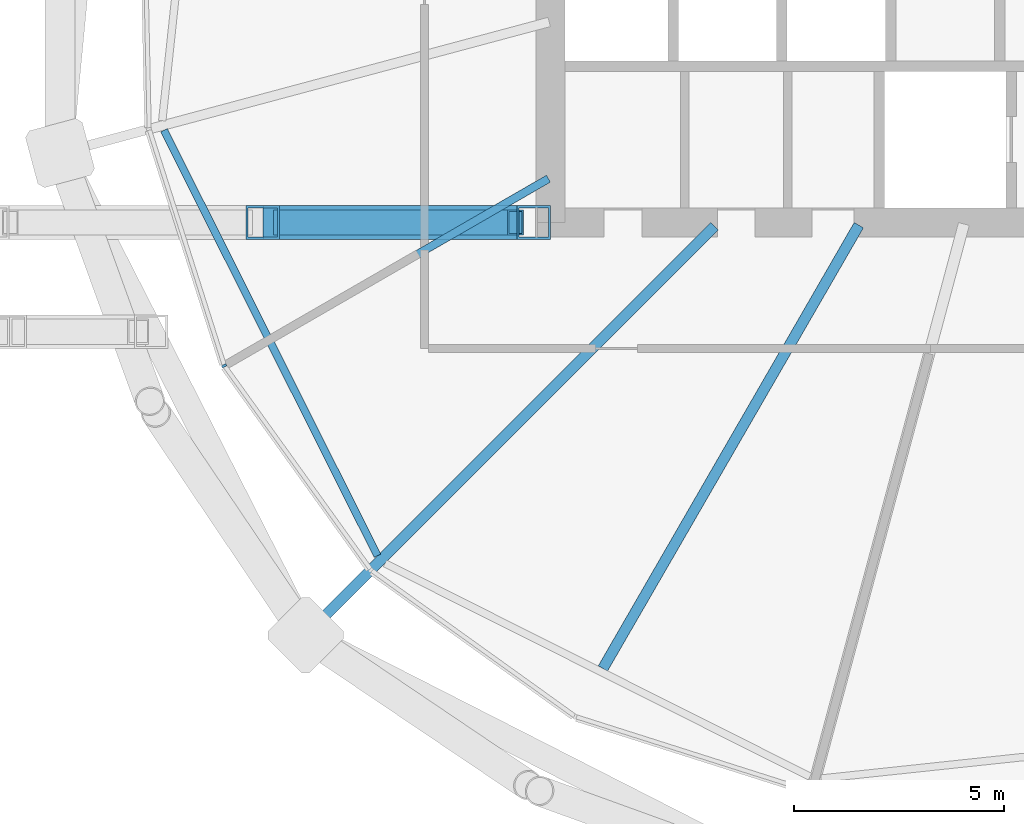
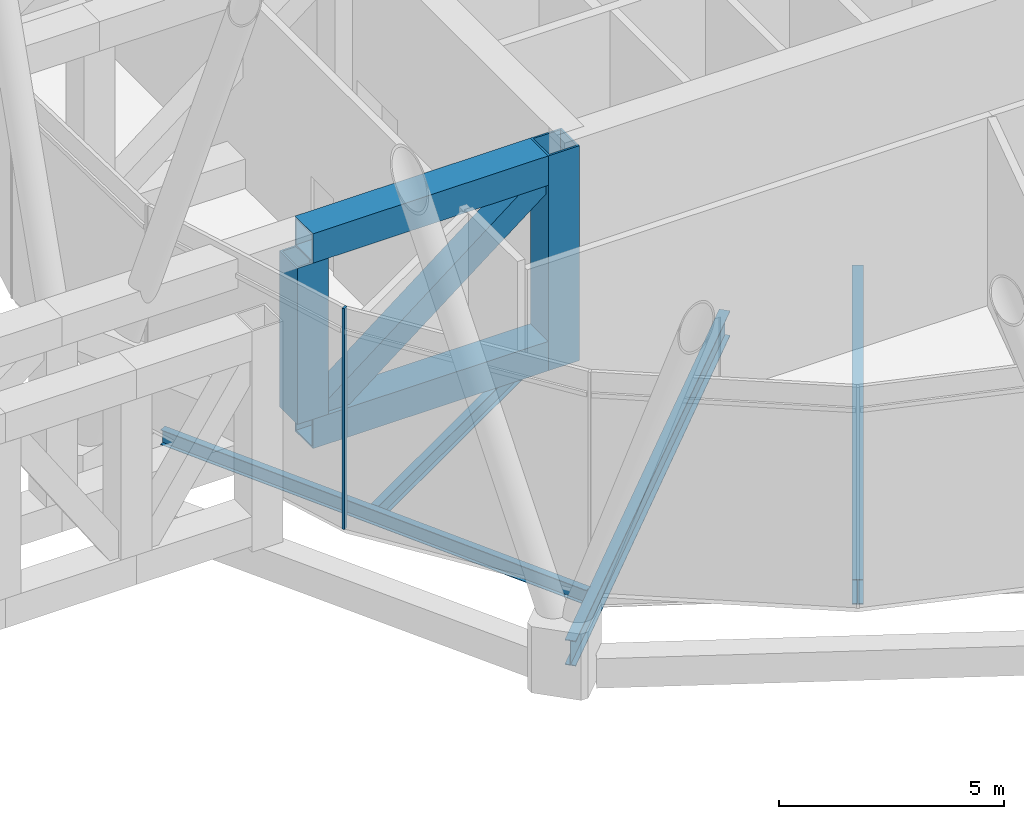
# One storey, part 19 of 39: 6 members, 4 beams, 1 element without a shape of its own.
"""IFC4 building model written with IfcOpenShell, lengths in metres."""

from ifc_helpers import new_model, si_unit, direction, frame, origin, origin_2d, place, context, subcontext, project, spatial, rectangle, hollow_rectangle, i_section, extrude, material, material_profile, profile_set, type_object, element, aggregate, save


model = new_model("IFC4")

# Units and contexts
model_context = context("Model", 3, precision=1e-05, world=origin(), true_north=direction((0.0, 1.0)))
body_context = subcontext(model_context, "Body", "Model", "MODEL_VIEW")
ifc_project = project(units=[si_unit("LENGTHUNIT", "METRE"), si_unit("AREAUNIT", "SQUARE_METRE"), si_unit("VOLUMEUNIT", "CUBIC_METRE"), si_unit("PLANEANGLEUNIT", "RADIAN"), si_unit("MASSUNIT", "GRAM", prefix="KILO")], contexts=[model_context])

# Site, building, storey
site_placement = place(None, origin())
site = spatial("IfcSite", under=ifc_project, at=site_placement, CompositionType="ELEMENT")
building_placement = place(site_placement, origin())
building = spatial("IfcBuilding", under=site, at=building_placement, Name="Rimbun Link Towers", CompositionType="ELEMENT")
storey_placement = place(building_placement, frame((0.0, 0.0, 127.199951171875)))
storey = spatial("IfcBuildingStorey", under=building, at=storey_placement, Name="L31", CompositionType="ELEMENT", Elevation=127.199951171875)

# Curtain wall, member
ifc_material_1 = material(Name="Aluminium 6063-T6 louvre wall", Category="aluminium")
curtain_wall_type = type_object("IfcCurtainWallType", Name="CW6 plant floor louvre wall", PredefinedType="NOTDEFINED", material=ifc_material_1)
curtain_wall_placement = place(storey_placement, origin())
curtain_wall = element("IfcCurtainWall", 1, at=curtain_wall_placement, inside=storey, type_object=curtain_wall_type, Name="CW6 L31 T2", PredefinedType="NOTDEFINED")
ifc_material_2 = material(Name="Aluminium 6063-T6", Category="aluminium")
ifc_material_profile_1 = material_profile(ifc_material_2, rectangle(XDim=0.1201171875, YDim=0.06005859375, at=origin_2d()), Name="MULLION 60X120")
ifc_profile_set_1 = profile_set([ifc_material_profile_1], Name="Aluminium 6063-T6")
member_type_1 = type_object("IfcMemberType", Name="CW6 mullion 60X120", PredefinedType="MULLION", material=ifc_profile_set_1)
member_1_placement = place(storey_placement, frame((11.975341796875, -11.412841796875, 0.0), z_axis=(0.0, 0.0, 1.0), x_axis=(-0.893745383402, -0.448574619933, 0.0)))
member_1 = element("IfcMember", 2, at=member_1_placement, type_object=member_type_1, Name="CW6 mullion", PredefinedType="MULLION", context=body_context, shape_type="SweptSolid", body=[
    extrude(rectangle(XDim=0.1201171875, YDim=0.06005859375, at=origin_2d()), origin(), (0.0, 0.0, 1.0), 6.0),
])
aggregate(curtain_wall, [member_1])

# Members
ifc_material_3 = material(Name="Steel S460N", Category="steel")
ifc_material_profile_2 = material_profile(ifc_material_3, hollow_rectangle(XDim=0.800048828125, YDim=0.800048828125, WallThickness=0.050048828125, at=origin_2d()), Name="Link transfer truss chord BOX 800x800x50")
ifc_profile_set_2 = profile_set([ifc_material_profile_2], Name="Steel S460N")
member_type_2 = type_object("IfcMemberType", Name="Link transfer truss chord BOX 800x800x50", PredefinedType="CHORD", material=ifc_profile_set_2)
for number, where, z_axis, x_axis, name in (
    (3, (12.89990234375, -8.0, 0.400146484375), (1.0, 0.0, 0.0), (0.0, 1.0, 0.0), "Link transfer truss chord 1 bottom 05"),
    (4, (12.89990234375, -8.0, 5.43994140625), (1.0, 0.0, 0.0), (0.0, 1.0, 0.0), "Link transfer truss chord 1 top 05"),
):
    element("IfcMember", number, at=place(storey_placement, frame(where, z_axis=z_axis, x_axis=x_axis)), inside=storey, type_object=member_type_2, Name=name, PredefinedType="CHORD", context=body_context, shape_type="SweptSolid", body=[
        extrude(hollow_rectangle(XDim=0.800048828125, YDim=0.800048828125, WallThickness=0.050048828125, at=origin_2d()), origin(), (0.0, 0.0, 1.0), 6.050048828125),
    ])
ifc_material_4 = material(Name="Steel S460N", Category="steel")
ifc_material_profile_3 = material_profile(ifc_material_4, hollow_rectangle(XDim=0.60009765625, YDim=0.60009765625, WallThickness=0.0400390625, at=origin_2d()), Name="Link transfer truss diagonal BOX 600x600x40")
ifc_profile_set_3 = profile_set([ifc_material_profile_3], Name="Steel S460N")
member_type_3 = type_object("IfcMemberType", Name="Link transfer truss diagonal BOX 600x600x40", PredefinedType="BRACE", material=ifc_profile_set_3)
member_2_placement = place(storey_placement, frame((13.33349609375, -8.0, 0.73876953125), z_axis=(0.787951234296, 0.0, 0.61573764898), x_axis=(0.0, 1.0, 0.0)))
element("IfcMember", 5, at=member_2_placement, inside=storey, type_object=member_type_3, Name="Link transfer truss diagonal 1 05", PredefinedType="BRACE", context=body_context, shape_type="SweptSolid", body=[
    extrude(hollow_rectangle(XDim=0.60009765625, YDim=0.60009765625, WallThickness=0.0400390625, at=origin_2d()), origin(), (0.0, 0.0, 1.0), 7.08544921875),
])
ifc_material_5 = material(Name="Steel S460N", Category="steel")
ifc_material_profile_4 = material_profile(ifc_material_5, hollow_rectangle(XDim=0.800048828125, YDim=0.800048828125, WallThickness=0.050048828125, at=origin_2d()), Name="Link transfer truss post BOX 800x800x50")
ifc_profile_set_4 = profile_set([ifc_material_profile_4], Name="Steel S460N")
member_type_4 = type_object("IfcMemberType", Name="Link transfer truss post BOX 800x800x50", PredefinedType="POST", material=ifc_profile_set_4)
member_3_placement = place(storey_placement, frame((12.89990234375, -8.0, 0.800048828125), z_axis=(0.0, 0.0, 1.0), x_axis=(1.0, 0.0, 0.0)))
element("IfcMember", 6, at=member_3_placement, inside=storey, type_object=member_type_4, Name="Link transfer truss post 1-05", PredefinedType="POST", context=body_context, shape_type="SweptSolid", body=[
    extrude(hollow_rectangle(XDim=0.800048828125, YDim=0.800048828125, WallThickness=0.050048828125, at=origin_2d()), origin(), (0.0, 0.0, 1.0), 4.239990234375),
])
member_4_placement = place(storey_placement, frame((19.35009765625, -8.0, 0.0), z_axis=(0.0, 0.0, 1.0), x_axis=(1.0, 0.0, 0.0)))
element("IfcMember", 7, at=member_4_placement, inside=storey, type_object=member_type_4, Name="Link transfer truss post 1-06", PredefinedType="POST", context=body_context, shape_type="SweptSolid", body=[
    extrude(hollow_rectangle(XDim=0.800048828125, YDim=0.800048828125, WallThickness=0.050048828125, at=origin_2d()), origin(), (0.0, 0.0, 1.0), 5.840087890625),
])

# Beams
ifc_material_6 = material(Name="Steel S355J2", Category="steel")
ifc_material_profile_5 = material_profile(ifc_material_6, i_section(OverallWidth=0.177978515625, OverallDepth=0.406494140625, WebThickness=0.0078125, FlangeThickness=0.0126953125, at=origin_2d()), Name="UB 406x178x60")
ifc_profile_set_5 = profile_set([ifc_material_profile_5], Name="Steel S355J2")
beam_type_1 = type_object("IfcBeamType", Name="UB 406x178x60", PredefinedType="BEAM", material=ifc_profile_set_5)
beam_1_placement = place(storey_placement, frame((10.5419921875, -5.801513671875, -0.383056640625), z_axis=(0.448556176974, -0.893754639763, 0.0), x_axis=(0.893754639763, 0.448556176974, 0.0)))
element("IfcBeam", 8, at=beam_1_placement, inside=storey, type_object=beam_type_1, Name="Edge beam T2 L31 10-12", PredefinedType="BEAM", context=body_context, shape_type="SweptSolid", body=[
    extrude(i_section(OverallWidth=0.177978515625, OverallDepth=0.406494140625, WebThickness=0.0078125, FlangeThickness=0.0126953125, at=origin_2d()), origin(), (0.0, 0.0, 1.0), 11.3427734375),
])
ifc_material_7 = material(Name="Steel S355J2", Category="steel")
ifc_material_profile_6 = material_profile(ifc_material_7, i_section(OverallWidth=0.18994140625, OverallDepth=0.453369140625, WebThickness=0.008544921875, FlangeThickness=0.0126953125, at=origin_2d()), Name="UB 457x191x67")
ifc_profile_set_6 = profile_set([ifc_material_profile_6], Name="Steel S355J2")
beam_type_2 = type_object("IfcBeamType", Name="UB 457x191x67", PredefinedType="BEAM", material=ifc_profile_set_6)
beam_2_placement = place(storey_placement, frame((19.70166015625, -6.9560546875, -0.40673828125), z_axis=(-0.866017959162, -0.500012894242, 0.0), x_axis=(0.500012894242, -0.866017959162, 0.0)))
element("IfcBeam", 9, at=beam_2_placement, inside=storey, type_object=beam_type_2, Name="Radial beam T2 L31 11", PredefinedType="BEAM", context=body_context, shape_type="SweptSolid", body=[
    extrude(i_section(OverallWidth=0.18994140625, OverallDepth=0.453369140625, WebThickness=0.008544921875, FlangeThickness=0.0126953125, at=origin_2d()), origin(), (0.0, 0.0, 1.0), 7.591552734375),
])
ifc_material_8 = material(Name="Steel S355J2", Category="steel")
ifc_material_profile_7 = material_profile(ifc_material_8, i_section(OverallWidth=0.253662109375, OverallDepth=0.68359375, WebThickness=0.012451171875, FlangeThickness=0.01904296875, at=origin_2d()), Name="UB 686x254x140")
ifc_profile_set_7 = profile_set([ifc_material_profile_7], Name="Steel S355J2")
beam_type_3 = type_object("IfcBeamType", Name="UB 686x254x140", PredefinedType="BEAM", material=ifc_profile_set_7)
beam_3_placement = place(storey_placement, frame((23.65966796875, -8.09033203125, -0.521728515625), z_axis=(-0.707106781187, -0.707106781187, 0.0), x_axis=(0.707106781187, -0.707106781187, 0.0)))
element("IfcBeam", 10, at=beam_3_placement, inside=storey, type_object=beam_type_3, Name="Radial beam T2 L31 12", PredefinedType="BEAM", context=body_context, shape_type="SweptSolid", body=[
    extrude(i_section(OverallWidth=0.253662109375, OverallDepth=0.68359375, WebThickness=0.012451171875, FlangeThickness=0.01904296875, at=origin_2d()), origin(), (0.0, 0.0, 1.0), 13.273681640625),
])
beam_4_placement = place(storey_placement, frame((27.093994140625, -8.064208984375, -0.521728515625), z_axis=(-0.499996328842, -0.866027523318, 0.0), x_axis=(0.866027523318, -0.499996328842, 0.0)))
element("IfcBeam", 11, at=beam_4_placement, inside=storey, type_object=beam_type_3, Name="Radial beam T2 L31 13", PredefinedType="BEAM", context=body_context, shape_type="SweptSolid", body=[
    extrude(i_section(OverallWidth=0.253662109375, OverallDepth=0.68359375, WebThickness=0.012451171875, FlangeThickness=0.01904296875, at=origin_2d()), origin(), (0.0, 0.0, 1.0), 12.19189453125),
])

save(model, "model.ifc")
